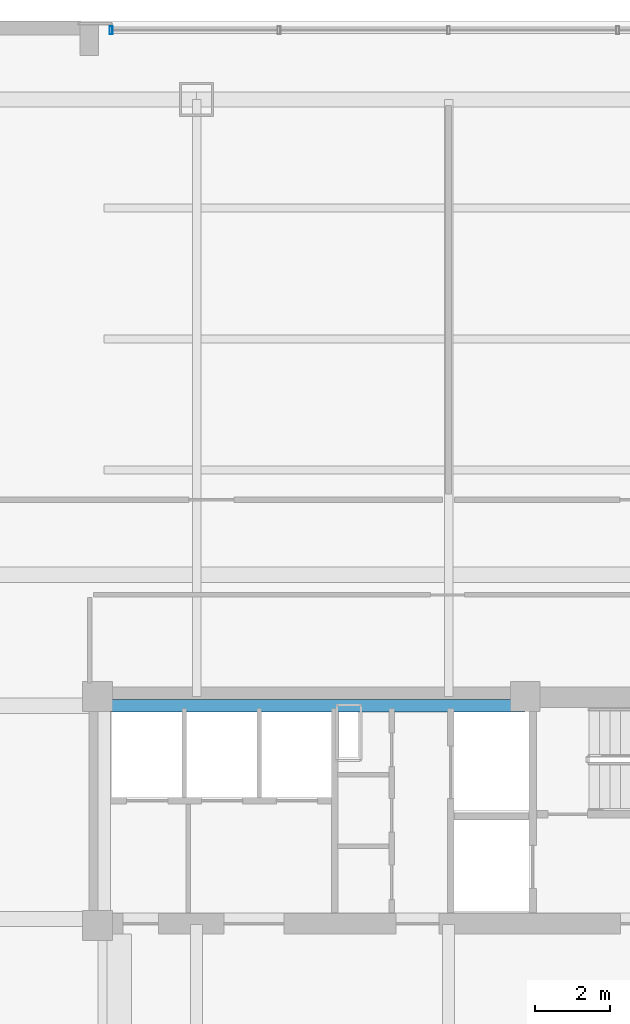
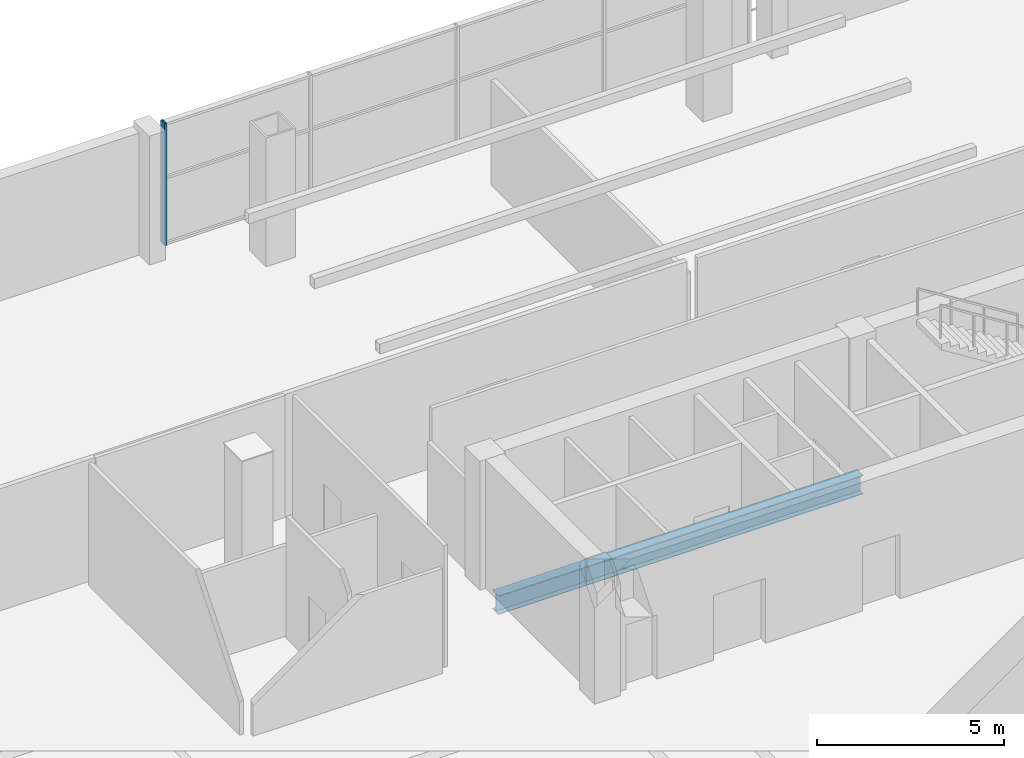
# One storey, part 8 of 21: 1 beam, 1 member, 1 element without a shape of its own.
"""IFC4 building model written with IfcOpenShell, lengths in metres."""

from ifc_helpers import new_model, si_unit, direction, frame, origin, origin_2d, place, context, subcontext, project, spatial, hollow_rectangle, i_section, extrude, material, layer, layer_set, material_profile, profile_set, type_object, element, aggregate, save


model = new_model("IFC4")

# Units and contexts
model_context = context("Model", 3, precision=1e-05, world=origin(), true_north=direction((0.0, 1.0)))
body_context = subcontext(model_context, "Body", "Model", "MODEL_VIEW")
ifc_project = project(units=[si_unit("LENGTHUNIT", "METRE"), si_unit("AREAUNIT", "SQUARE_METRE"), si_unit("VOLUMEUNIT", "CUBIC_METRE"), si_unit("PLANEANGLEUNIT", "RADIAN"), si_unit("MASSUNIT", "GRAM", prefix="KILO")], contexts=[model_context])

# Site, building, storey
site_placement = place(None, origin())
site = spatial("IfcSite", under=ifc_project, at=site_placement, CompositionType="ELEMENT")
building_placement = place(site_placement, origin())
building = spatial("IfcBuilding", under=site, at=building_placement, Name="Qhalaya Broadcast Tower", CompositionType="ELEMENT")
storey_placement = place(building_placement, frame((0.0, 0.0, 21.89990234375)))
storey = spatial("IfcBuildingStorey", under=building, at=storey_placement, Name="L05", CompositionType="ELEMENT", Elevation=21.89990234375)

# Beam
ifc_material_1 = material(Name="Structural Steel ASTM A992 Grade 50", Category="steel")
ifc_material_profile_1 = material_profile(ifc_material_1, i_section(OverallWidth=0.323974609375, OverallDepth=0.612060546875, WebThickness=0.0126953125, FlangeThickness=0.01904296875, at=origin_2d()), Name="W24X104")
ifc_profile_set_1 = profile_set([ifc_material_profile_1], Name="Structural Steel ASTM A992 Grade 50")
beam_type = type_object("IfcBeamType", Name="Core Frame Tie Beam B04", PredefinedType="BEAM", material=ifc_profile_set_1)
beam_placement = place(storey_placement, frame((-9.199951171875, 9.699951171875, -0.685791015625), z_axis=(1.0, 0.0, 0.0), x_axis=(0.0, 1.0, 0.0)))
element("IfcBeam", 1, at=beam_placement, inside=storey, type_object=beam_type, Name="L05 B04 L05-CCN3", PredefinedType="BEAM", context=body_context, shape_type="SweptSolid", body=[
    extrude(i_section(OverallWidth=0.323974609375, OverallDepth=0.612060546875, WebThickness=0.0126953125, FlangeThickness=0.01904296875, at=origin_2d()), origin(), (0.0, 0.0, 1.0), 11.25),
])

# Curtain wall, member
ifc_material_2 = material(Name="Solar-Control Low-E Triple Glazing", Category="glass")
ifc_layer = layer(ifc_material_2, 0.219970703125, Name="Solar-Control Low-E Triple Glazing")
ifc_layer_set = layer_set([ifc_layer], Name="Solar-Control Low-E Triple Glazing")
curtain_wall_type = type_object("IfcCurtainWallType", Name="Podium Concourse Triple-Height Glazed Portal CW-01", PredefinedType="NOTDEFINED", material=ifc_layer_set)
curtain_wall_placement = place(storey_placement, origin())
curtain_wall = element("IfcCurtainWall", 2, at=curtain_wall_placement, inside=storey, type_object=curtain_wall_type, Name="L05 Unitised Curtain Wall L05-CW01-N", PredefinedType="NOTDEFINED")
ifc_material_3 = material(Name="Anodised Aluminium 6063-T6", Category="aluminium")
ifc_material_profile_2 = material_profile(ifc_material_3, hollow_rectangle(XDim=0.074951171875, YDim=0.219970703125, WallThickness=0.00390625, at=origin_2d()), Name="ALU-MUL 75x220x4")
ifc_profile_set_2 = profile_set([ifc_material_profile_2], Name="Anodised Aluminium 6063-T6")
member_type = type_object("IfcMemberType", Name="Unitised Curtain-Wall Mullion M01", PredefinedType="MULLION", material=ifc_profile_set_2)
member_placement = place(storey_placement, frame((-9.012451171875, 27.75, 0.0), z_axis=(0.0, 0.0, 1.0), x_axis=(-1.0, 0.0, 0.0)))
member = element("IfcMember", 3, at=member_placement, type_object=member_type, Name="CW-01 mullion 5", PredefinedType="MULLION", context=body_context, shape_type="SweptSolid", body=[
    extrude(hollow_rectangle(XDim=0.074951171875, YDim=0.219970703125, WallThickness=0.00390625, at=origin_2d()), origin(), (0.0, 0.0, 1.0), 3.97998046875),
])
aggregate(curtain_wall, [member])

save(model, "model.ifc")
